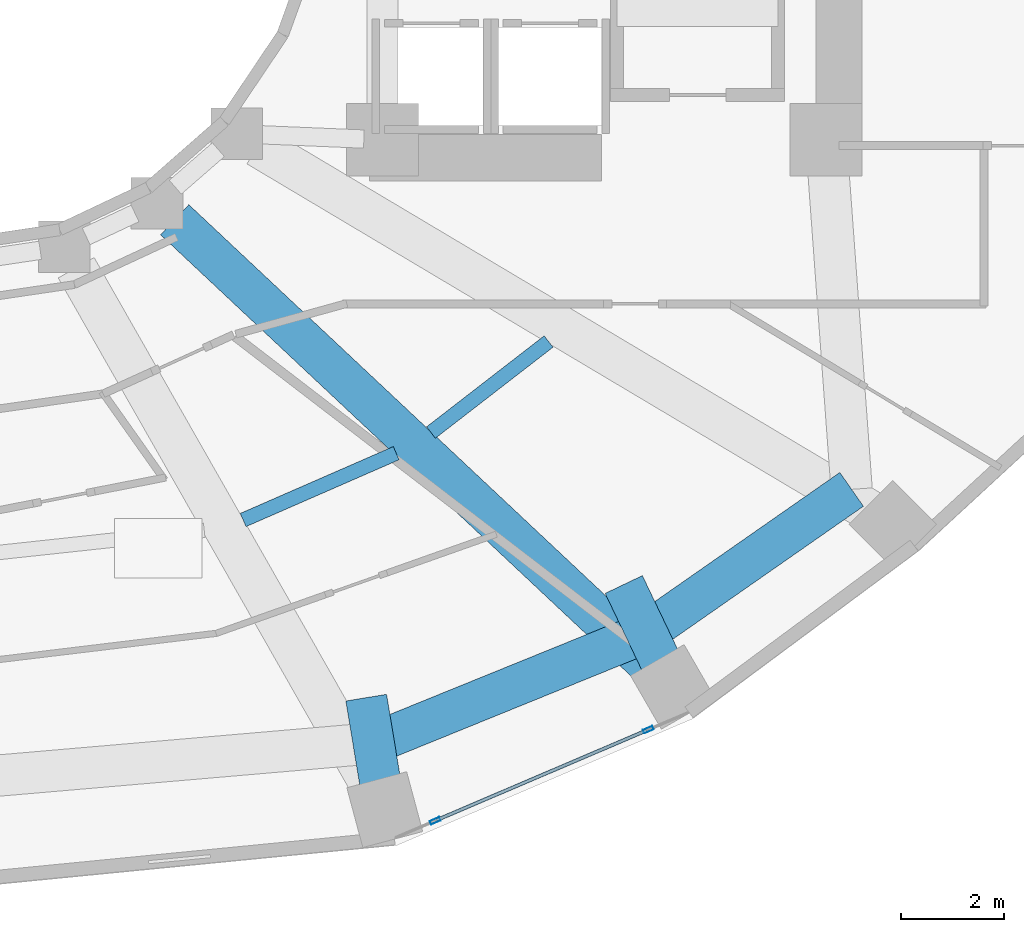
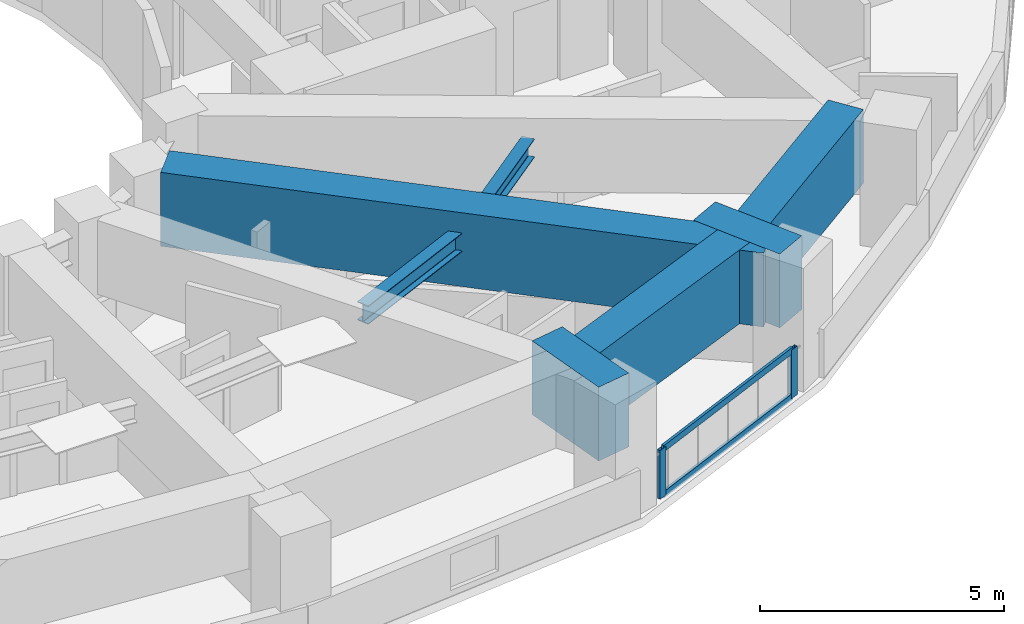
# One storey, part 4 of 16: 7 beams, 4 members, 1 element without a shape of its own.
"""IFC4 building model written with IfcOpenShell, lengths in metres."""

from ifc_helpers import new_model, si_unit, direction, frame, origin, origin_2d, place, context, subcontext, project, spatial, rectangle, hollow_rectangle, i_section, extrude, material, layer, layer_set, material_profile, profile_set, type_object, element, aggregate, save


model = new_model("IFC4")

# Units and contexts
model_context = context("Model", 3, precision=1e-05, world=origin(), true_north=direction((0.0, 1.0)))
body_context = subcontext(model_context, "Body", "Model", "MODEL_VIEW")
ifc_project = project(units=[si_unit("LENGTHUNIT", "METRE"), si_unit("AREAUNIT", "SQUARE_METRE"), si_unit("VOLUMEUNIT", "CUBIC_METRE"), si_unit("PLANEANGLEUNIT", "RADIAN"), si_unit("MASSUNIT", "GRAM", prefix="KILO")], contexts=[model_context])

# Site, building, storey
site_placement = place(None, origin())
site = spatial("IfcSite", under=ifc_project, at=site_placement, CompositionType="ELEMENT")
building_placement = place(site_placement, origin())
building = spatial("IfcBuilding", under=site, at=building_placement, Name="Solvane Sanctuary Tower", CompositionType="ELEMENT")
storey_placement = place(building_placement, frame((0.0, 0.0, 61.699951171875)))
storey = spatial("IfcBuildingStorey", under=building, at=storey_placement, Name="L18", CompositionType="ELEMENT", Elevation=61.699951171875)

# Beams
ifc_material_1 = material(Name="Steel ASTM A992 Grade 50", Category="steel")
ifc_material_profile_1 = material_profile(ifc_material_1, i_section(OverallWidth=0.280029296875, OverallDepth=0.462890625, WebThickness=0.0107421875, FlangeThickness=0.017333984375, FilletRadius=0.013916015625, at=origin_2d()), Name="W18X76")
ifc_profile_set_1 = profile_set([ifc_material_profile_1], Name="Steel ASTM A992 Grade 50")
beam_type_1 = type_object("IfcBeamType", Name="Beam B-SEC-JOIST W18X76", PredefinedType="JOIST", material=ifc_profile_set_1)
beam_1_placement = place(storey_placement, frame((37.39990234375, 9.530517578125, 2.366455078125), z_axis=(0.916364894528, 0.400344077111, 0.0), x_axis=(-0.400344077111, 0.916364894528, 0.0)))
element("IfcBeam", 1, at=beam_1_placement, inside=storey, type_object=beam_type_1, Name="L18 Secondary Circumferential Joist 12-13", PredefinedType="JOIST", context=body_context, shape_type="SweptSolid", body=[
    extrude(i_section(OverallWidth=0.280029296875, OverallDepth=0.462890625, WebThickness=0.0107421875, FlangeThickness=0.017333984375, FilletRadius=0.013916015625, at=origin_2d()), origin(), (0.0, 0.0, 1.0), 3.237548828125),
])
beam_2_placement = place(storey_placement, frame((41.041015625, 11.226318359375, 2.366455078125), z_axis=(0.790895585788, 0.611951119274, 0.0), x_axis=(-0.611951119274, 0.790895585788, 0.0)))
element("IfcBeam", 2, at=beam_2_placement, inside=storey, type_object=beam_type_1, Name="L18 Secondary Circumferential Joist 13-14", PredefinedType="JOIST", context=body_context, shape_type="SweptSolid", body=[
    extrude(i_section(OverallWidth=0.280029296875, OverallDepth=0.462890625, WebThickness=0.0107421875, FlangeThickness=0.017333984375, FilletRadius=0.013916015625, at=origin_2d()), origin(), (0.0, 0.0, 1.0), 2.8828125),
])
ifc_material_2 = material(Name="Concrete C70/85", Category="concrete")
ifc_material_profile_2 = material_profile(ifc_material_2, rectangle(XDim=0.800048828125, YDim=1.85009765625, at=origin_2d()), Name="RC800X1850")
ifc_profile_set_2 = profile_set([ifc_material_profile_2], Name="Concrete C70/85")
beam_type_2 = type_object("IfcBeamType", Name="Beam B-XFER-BLK RC800X1850", PredefinedType="BEAM", material=ifc_profile_set_2)
beam_3_placement = place(storey_placement, frame((40.13671875, 3.965576171875, 2.175048828125), z_axis=(-0.163515056138, 0.986540838697, 0.0), x_axis=(-0.986540838697, -0.163515056138, 0.0)))
element("IfcBeam", 3, at=beam_3_placement, inside=storey, type_object=beam_type_2, Name="L18 Block-Shift Transfer Tie 12B", PredefinedType="BEAM", context=body_context, shape_type="SweptSolid", body=[
    extrude(rectangle(XDim=0.800048828125, YDim=1.85009765625, at=origin_2d()), origin(), (0.0, 0.0, 1.0), 2.150146484375),
])
beam_4_placement = place(storey_placement, frame((36.07275390625, 15.351806640625, 2.175048828125), z_axis=(0.729350984505, -0.684139708979, 0.0), x_axis=(0.684139708979, 0.729350984505, 0.0)))
element("IfcBeam", 4, at=beam_4_placement, inside=storey, type_object=beam_type_2, Name="L18 Block-Shift Radial Transfer Girder 13A", PredefinedType="BEAM", context=body_context, shape_type="SweptSolid", body=[
    extrude(rectangle(XDim=0.800048828125, YDim=1.85009765625, at=origin_2d()), origin(), (0.0, 0.0, 1.0), 12.717041015625),
])
beam_5_placement = place(storey_placement, frame((45.70556640625, 6.341064453125, 2.175048828125), z_axis=(-0.431612192933, 0.902059263525, 0.0), x_axis=(-0.902059263525, -0.431612192933, 0.0)))
element("IfcBeam", 5, at=beam_5_placement, inside=storey, type_object=beam_type_2, Name="L18 Block-Shift Transfer Tie 13B", PredefinedType="BEAM", context=body_context, shape_type="SweptSolid", body=[
    extrude(rectangle(XDim=0.800048828125, YDim=1.85009765625, at=origin_2d()), origin(), (0.0, 0.0, 1.0), 2.150146484375),
])
beam_6_placement = place(storey_placement, frame((39.931640625, 5.203369140625, 2.175048828125), z_axis=(0.92644001676, 0.376442419696, 0.0), x_axis=(-0.376442419696, 0.92644001676, 0.0)))
element("IfcBeam", 6, at=beam_6_placement, inside=storey, type_object=beam_type_2, Name="L18 Perimeter Step Transfer Ring NTC12-NTC13", PredefinedType="BEAM", context=body_context, shape_type="SweptSolid", body=[
    extrude(rectangle(XDim=0.800048828125, YDim=1.85009765625, at=origin_2d()), origin(), (0.0, 0.0, 1.0), 5.709716796875),
])
beam_7_placement = place(storey_placement, frame((45.221435546875, 7.352783203125, 2.175048828125), z_axis=(0.820142352305, 0.57215952492, 0.0), x_axis=(-0.57215952492, 0.820142352305, 0.0)))
element("IfcBeam", 7, at=beam_7_placement, inside=storey, type_object=beam_type_2, Name="L18 Perimeter Step Transfer Ring NTC13-NTC14", PredefinedType="BEAM", context=body_context, shape_type="SweptSolid", body=[
    extrude(rectangle(XDim=0.800048828125, YDim=1.85009765625, at=origin_2d()), origin(), (0.0, 0.0, 1.0), 4.8447265625),
])

# Curtain wall, members
ifc_material_3 = material(Name="Anodised Aluminium 6063-T6", Category="aluminium")
ifc_layer = layer(ifc_material_3, 0.169921875, Name="Anodised Aluminium 6063-T6")
ifc_layer_set = layer_set([ifc_layer], Name="Anodised Aluminium 6063-T6")
curtain_wall_type = type_object("IfcCurtainWallType", Name="Curtain Wall CW-FRIT-Z1", PredefinedType="NOTDEFINED", material=ifc_layer_set)
curtain_wall_placement = place(storey_placement, origin())
curtain_wall = element("IfcCurtainWall", 8, at=curtain_wall_placement, inside=storey, type_object=curtain_wall_type, Name="L18 CW-FRIT-Z1 Facade Run 19", PredefinedType="NOTDEFINED")
ifc_material_profile_3 = material_profile(ifc_material_3, hollow_rectangle(XDim=0.074951171875, YDim=0.199951171875, WallThickness=0.00390625, at=origin_2d()), Name="ALU200X75X4")
ifc_profile_set_3 = profile_set([ifc_material_profile_3], Name="Anodised Aluminium 6063-T6")
member_type_1 = type_object("IfcMemberType", Name="Member M-CW-MUL-1 ALU200X75X4", PredefinedType="MULLION", material=ifc_profile_set_3)
member_1_placement = place(storey_placement, frame((41.120361328125, 3.70068359375, 0.0), z_axis=(0.0, 0.0, 1.0), x_axis=(-0.392820282466, 0.919615259597, 0.0)))
member_1 = element("IfcMember", 9, at=member_1_placement, type_object=member_type_1, Name="CW-FRIT-Z1 mullion 1", PredefinedType="MULLION", context=body_context, shape_type="SweptSolid", body=[
    extrude(hollow_rectangle(XDim=0.074951171875, YDim=0.199951171875, WallThickness=0.00390625, at=origin_2d()), origin(), (0.0, 0.0, 1.0), 1.219970703125),
])
member_2_placement = place(storey_placement, frame((45.25341796875, 5.466064453125, 0.0), z_axis=(0.0, 0.0, 1.0), x_axis=(-0.392820282466, 0.919615259597, 0.0)))
member_2 = element("IfcMember", 10, at=member_2_placement, type_object=member_type_1, Name="CW-FRIT-Z1 mullion 2", PredefinedType="MULLION", context=body_context, shape_type="SweptSolid", body=[
    extrude(hollow_rectangle(XDim=0.074951171875, YDim=0.199951171875, WallThickness=0.00390625, at=origin_2d()), origin(), (0.0, 0.0, 1.0), 1.219970703125),
])
ifc_material_profile_4 = material_profile(ifc_material_3, hollow_rectangle(XDim=0.06494140625, YDim=0.159912109375, WallThickness=0.00341796875, at=origin_2d()), Name="ALU160X65X3.5")
ifc_profile_set_4 = profile_set([ifc_material_profile_4], Name="Anodised Aluminium 6063-T6")
member_type_2 = type_object("IfcMemberType", Name="Member M-CW-TRN-1 ALU160X65X3.5", PredefinedType="USERDEFINED", material=ifc_profile_set_4)
member_3_placement = place(storey_placement, frame((41.15478515625, 3.71533203125, 0.032470703125), z_axis=(0.919612983912, 0.392825609935, 0.0), x_axis=(-0.392825609935, 0.919612983912, 0.0)))
member_3 = element("IfcMember", 11, at=member_3_placement, type_object=member_type_2, Name="CW-FRIT-Z1 transom 1.1", ObjectType="TRANSOM", PredefinedType="USERDEFINED", context=body_context, shape_type="SweptSolid", body=[
    extrude(hollow_rectangle(XDim=0.06494140625, YDim=0.159912109375, WallThickness=0.00341796875, at=origin_2d()), origin(), (0.0, 0.0, 1.0), 4.41943359375),
])
member_4_placement = place(storey_placement, frame((41.15478515625, 3.71533203125, 1.1875), z_axis=(0.919612983912, 0.392825609935, 0.0), x_axis=(-0.392825609935, 0.919612983912, 0.0)))
member_4 = element("IfcMember", 12, at=member_4_placement, type_object=member_type_2, Name="CW-FRIT-Z1 transom 1.2", ObjectType="TRANSOM", PredefinedType="USERDEFINED", context=body_context, shape_type="SweptSolid", body=[
    extrude(hollow_rectangle(XDim=0.06494140625, YDim=0.159912109375, WallThickness=0.00341796875, at=origin_2d()), origin(), (0.0, 0.0, 1.0), 4.41943359375),
])
aggregate(curtain_wall, [member_1, member_2, member_3, member_4])

save(model, "model.ifc")
